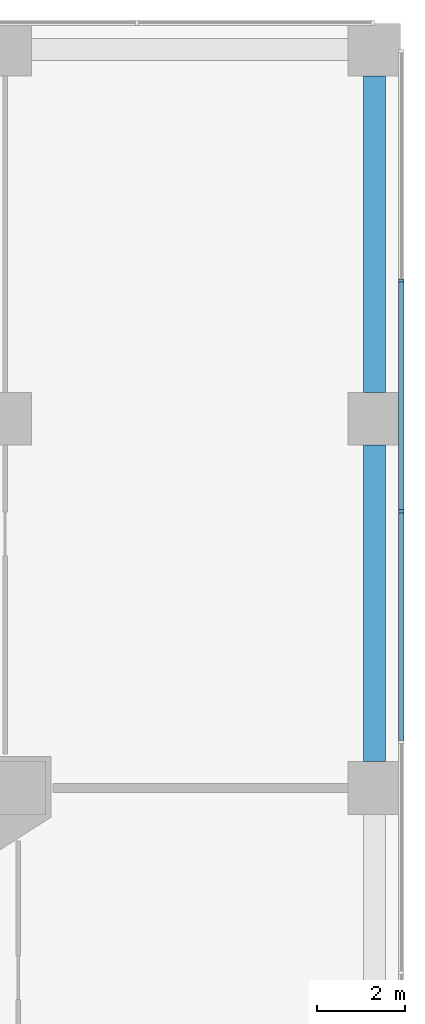
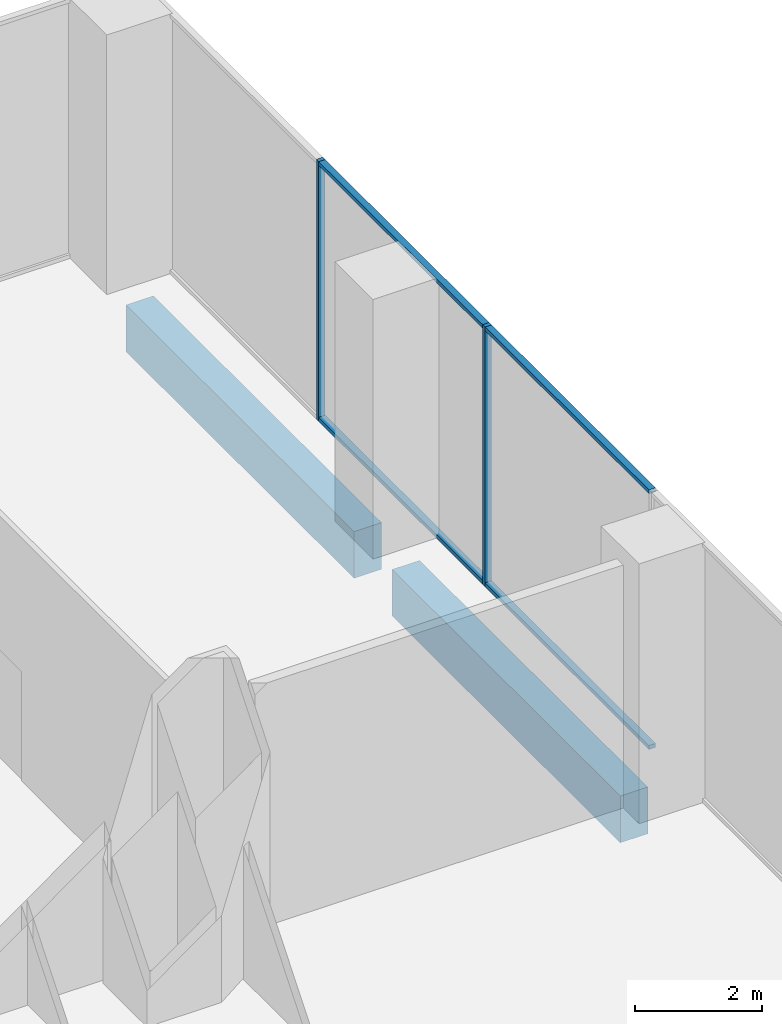
# One storey, part 9 of 28: 6 members, 2 beams, 1 element without a shape of its own.
"""IFC4 building model written with IfcOpenShell, lengths in metres."""

from ifc_helpers import new_model, si_unit, direction, frame, origin, origin_2d, place, context, subcontext, project, spatial, rectangle, extrude, material, layer, layer_set, material_profile, profile_set, type_object, element, aggregate, save


model = new_model("IFC4")

# Units and contexts
model_context = context("Model", 3, precision=1e-05, world=origin(), true_north=direction((0.0, 1.0)))
body_context = subcontext(model_context, "Body", "Model", "MODEL_VIEW")
ifc_project = project(units=[si_unit("LENGTHUNIT", "METRE"), si_unit("AREAUNIT", "SQUARE_METRE"), si_unit("VOLUMEUNIT", "CUBIC_METRE"), si_unit("PLANEANGLEUNIT", "RADIAN"), si_unit("MASSUNIT", "GRAM", prefix="KILO")], contexts=[model_context])

# Site, building, storey
site_placement = place(None, origin())
site = spatial("IfcSite", under=ifc_project, at=site_placement, CompositionType="ELEMENT")
building_placement = place(site_placement, origin())
building = spatial("IfcBuilding", under=site, at=building_placement, Name="Marenta Gate Hotel Tower", CompositionType="ELEMENT")
storey_placement = place(building_placement, frame((0.0, 0.0, 26.0)))
storey = spatial("IfcBuildingStorey", under=building, at=storey_placement, Name="L04", CompositionType="ELEMENT", Elevation=26.0)

# Curtain wall, members
ifc_material_1 = material(Name="Tinted insulated glass in bronze anodised frame", Category="glass")
ifc_layer = layer(ifc_material_1, 0.1201171875)
ifc_layer_set = layer_set([ifc_layer], Name="Tinted insulated glass in bronze anodised frame")
curtain_wall_type = type_object("IfcCurtainWallType", Name="Wellness glazing CW7", PredefinedType="NOTDEFINED", material=ifc_layer_set)
curtain_wall_placement = place(storey_placement, origin())
curtain_wall = element("IfcCurtainWall", 1, at=curtain_wall_placement, inside=storey, type_object=curtain_wall_type, Name="CW7 run NB-E000", PredefinedType="NOTDEFINED")
ifc_material_2 = material(Name="Bronze anodised aluminium", Category="aluminium")
ifc_material_profile_1 = material_profile(ifc_material_2, rectangle(XDim=0.1201171875, YDim=0.074951171875, at=origin_2d()), Name="Mullion CW7 75x120 bronze anodised aluminium")
ifc_profile_set_1 = profile_set([ifc_material_profile_1], Name="Bronze anodised aluminium")
member_type_1 = type_object("IfcMemberType", Name="Mullion CW7 75x120 bronze anodised aluminium", PredefinedType="MULLION", material=ifc_profile_set_1)
member_1_placement = place(storey_placement, frame((38.4140625, 31.5, 0.0), z_axis=(0.0, 0.0, 1.0), x_axis=(-1.0, 0.0, 0.0)))
member_1 = element("IfcMember", 2, at=member_1_placement, type_object=member_type_1, Name="CW7 mullion 7", PredefinedType="MULLION", context=body_context, shape_type="SweptSolid", body=[
    extrude(rectangle(XDim=0.1201171875, YDim=0.074951171875, at=origin_2d()), origin(), (0.0, 0.0, 1.0), 5.0),
])
member_2_placement = place(storey_placement, frame((38.4140625, 36.75, 0.0), z_axis=(0.0, 0.0, 1.0), x_axis=(-1.0, 0.0, 0.0)))
member_2 = element("IfcMember", 3, at=member_2_placement, type_object=member_type_1, Name="CW7 mullion 8", PredefinedType="MULLION", context=body_context, shape_type="SweptSolid", body=[
    extrude(rectangle(XDim=0.1201171875, YDim=0.074951171875, at=origin_2d()), origin(), (0.0, 0.0, 1.0), 5.0),
])

# Beams
ifc_material_3 = material(Name="Concrete C60", Category="concrete")
ifc_material_profile_2 = material_profile(ifc_material_3, rectangle(XDim=0.5, YDim=0.89990234375, at=origin_2d()), Name="500 x 900")
ifc_profile_set_2 = profile_set([ifc_material_profile_2], Name="Concrete C60")
beam_type = type_object("IfcBeamType", Name="Podium edge beam 500 x 900 C60", PredefinedType="BEAM", material=ifc_profile_set_2)
for number, where, z_axis, x_axis, name in (
    (4, (37.800048828125, 25.800048828125, -0.77001953125), (0.0, 1.0, 0.0), (-1.0, 0.0, 0.0), "L04-PBM-159"),
    (5, (37.800048828125, 34.199951171875, -0.77001953125), (0.0, 1.0, 0.0), (-1.0, 0.0, 0.0), "L04-PBM-160"),
):
    element("IfcBeam", number, at=place(storey_placement, frame(where, z_axis=z_axis, x_axis=x_axis)), inside=storey, type_object=beam_type, Name=name, PredefinedType="BEAM", context=body_context, shape_type="SweptSolid", body=[
        extrude(rectangle(XDim=0.5, YDim=0.89990234375, at=origin_2d()), origin(), (0.0, 0.0, 1.0), 7.199951171875),
    ])

# Member
ifc_material_4 = material(Name="Bronze anodised aluminium", Category="aluminium")
ifc_material_profile_3 = material_profile(ifc_material_4, rectangle(XDim=0.1201171875, YDim=0.074951171875, at=origin_2d()), Name="Transom CW7 75x120 bronze anodised aluminium")
ifc_profile_set_3 = profile_set([ifc_material_profile_3], Name="Bronze anodised aluminium")
member_type_2 = type_object("IfcMemberType", Name="Transom CW7 75x120 bronze anodised aluminium", PredefinedType="USERDEFINED", material=ifc_profile_set_3)
member_3_placement = place(storey_placement, frame((38.4140625, 26.28759765625, 0.03759765625), z_axis=(0.0, 1.0, 0.0), x_axis=(-1.0, 0.0, 0.0)))
member_3 = element("IfcMember", 6, at=member_3_placement, type_object=member_type_2, Name="CW7 transom 6.1", ObjectType="TRANSOM", PredefinedType="USERDEFINED", context=body_context, shape_type="SweptSolid", body=[
    extrude(rectangle(XDim=0.1201171875, YDim=0.074951171875, at=origin_2d()), origin(), (0.0, 0.0, 1.0), 5.1748046875),
])

member_4_placement = place(storey_placement, frame((38.4140625, 26.28759765625, 4.96240234375), z_axis=(0.0, 1.0, 0.0), x_axis=(-1.0, 0.0, 0.0)))
member_4 = element("IfcMember", 7, at=member_4_placement, type_object=member_type_2, Name="CW7 transom 6.2", ObjectType="TRANSOM", PredefinedType="USERDEFINED", context=body_context, shape_type="SweptSolid", body=[
    extrude(rectangle(XDim=0.1201171875, YDim=0.074951171875, at=origin_2d()), origin(), (0.0, 0.0, 1.0), 5.1748046875),
])

member_5_placement = place(storey_placement, frame((38.4140625, 31.53759765625, 0.03759765625), z_axis=(0.0, 1.0, 0.0), x_axis=(-1.0, 0.0, 0.0)))
member_5 = element("IfcMember", 8, at=member_5_placement, type_object=member_type_2, Name="CW7 transom 7.1", ObjectType="TRANSOM", PredefinedType="USERDEFINED", context=body_context, shape_type="SweptSolid", body=[
    extrude(rectangle(XDim=0.1201171875, YDim=0.074951171875, at=origin_2d()), origin(), (0.0, 0.0, 1.0), 5.1748046875),
])

member_6_placement = place(storey_placement, frame((38.4140625, 31.53759765625, 4.96240234375), z_axis=(0.0, 1.0, 0.0), x_axis=(-1.0, 0.0, 0.0)))
member_6 = element("IfcMember", 9, at=member_6_placement, type_object=member_type_2, Name="CW7 transom 7.2", ObjectType="TRANSOM", PredefinedType="USERDEFINED", context=body_context, shape_type="SweptSolid", body=[
    extrude(rectangle(XDim=0.1201171875, YDim=0.074951171875, at=origin_2d()), origin(), (0.0, 0.0, 1.0), 5.1748046875),
])

aggregate(curtain_wall, [member_1, member_2, member_3, member_4, member_5, member_6])

save(model, "model.ifc")
